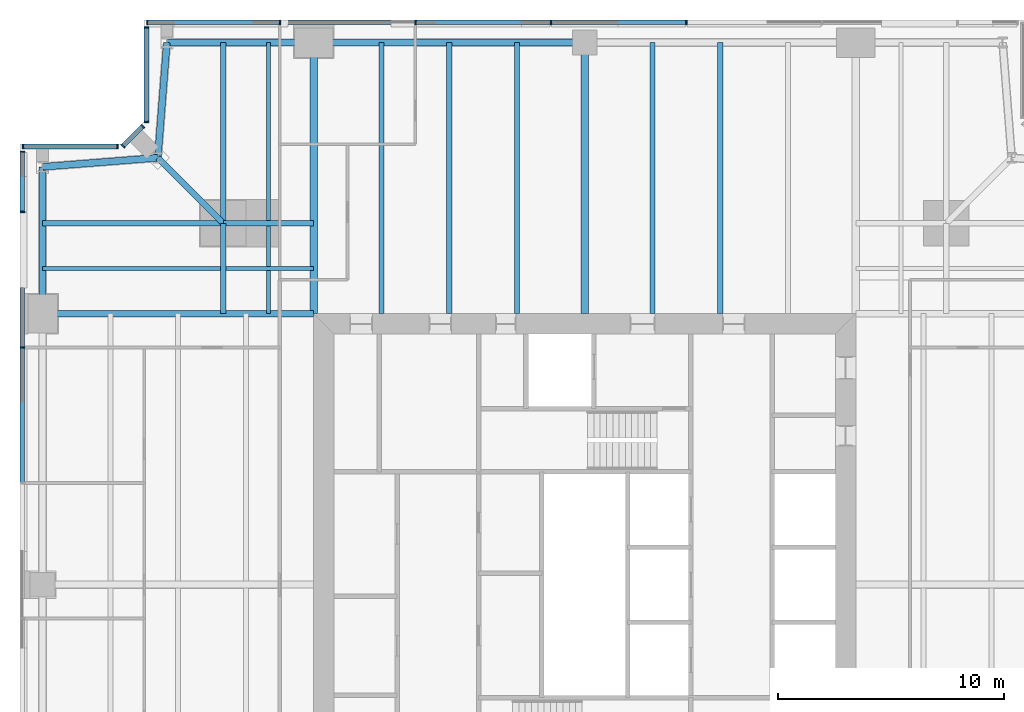
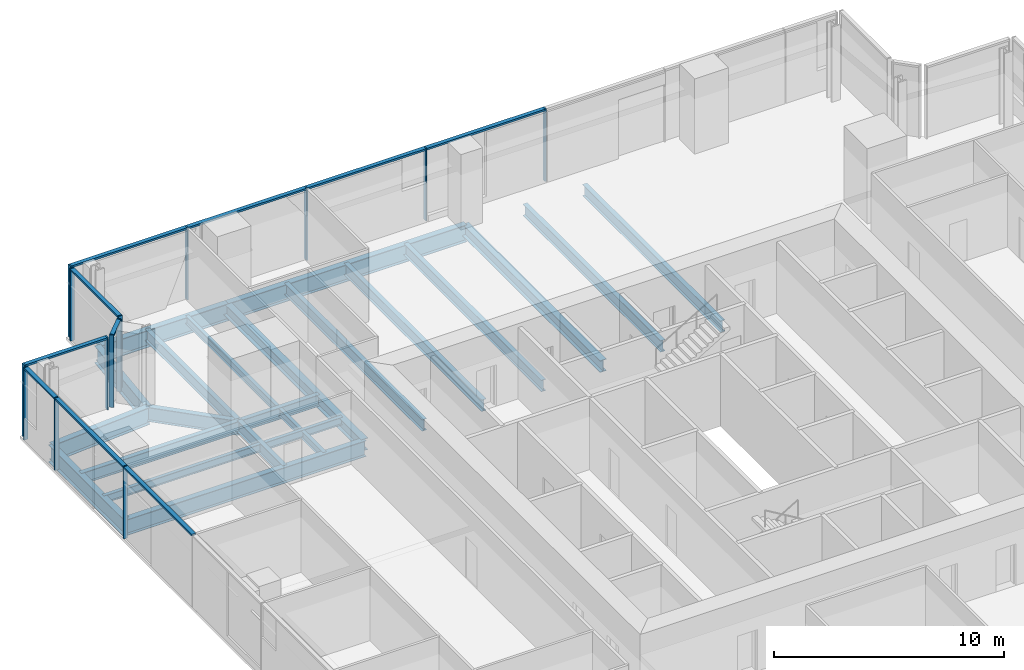
# One storey, part 6 of 14: 24 members, 23 beams, 5 elements without a shape of their own.
"""IFC4 building model written with IfcOpenShell, lengths in metres."""

from ifc_helpers import new_model, si_unit, direction, frame, origin, origin_2d, place, context, subcontext, project, spatial, rectangle, i_section, extrude, material, material_profile, profile_set, type_object, element, aggregate, save


model = new_model("IFC4")

# Units and contexts
model_context = context("Model", 3, precision=1e-05, world=origin(), true_north=direction((0.0, 1.0)))
body_context = subcontext(model_context, "Body", "Model", "MODEL_VIEW")
ifc_project = project(units=[si_unit("LENGTHUNIT", "METRE"), si_unit("AREAUNIT", "SQUARE_METRE"), si_unit("VOLUMEUNIT", "CUBIC_METRE"), si_unit("PLANEANGLEUNIT", "RADIAN"), si_unit("MASSUNIT", "GRAM", prefix="KILO")], contexts=[model_context])

# Site, building, storey
site_placement = place(None, origin())
site = spatial("IfcSite", under=ifc_project, at=site_placement, CompositionType="ELEMENT")
building_placement = place(site_placement, origin())
building = spatial("IfcBuilding", under=site, at=building_placement, Name="Fenwick Lantern Interchange", CompositionType="ELEMENT")
storey_placement = place(building_placement, frame((0.0, 0.0, 221.800048828125)))
storey = spatial("IfcBuildingStorey", under=building, at=storey_placement, Name="L52", CompositionType="ELEMENT", Elevation=221.800048828125)

# Beams
ifc_material_1 = material(Name="Steel ASTM A992 Grade 50", Category="steel")
ifc_material_profile_1 = material_profile(ifc_material_1, i_section(OverallWidth=0.3046875, OverallDepth=0.911865234375, WebThickness=0.015869140625, FlangeThickness=0.02392578125, at=origin_2d()), Name="W36X150")
ifc_profile_set_1 = profile_set([ifc_material_profile_1], Name="Steel ASTM A992 Grade 50")
beam_type_1 = type_object("IfcBeamType", Name="EDGE BEAM W36X150", PredefinedType="SPANDREL", material=ifc_profile_set_1)
beam_1_placement = place(storey_placement, frame((25.0, 49.0, -0.60595703125), z_axis=(-1.0, 0.0, 0.0), x_axis=(0.0, -1.0, 0.0)))
element("IfcBeam", 1, at=beam_1_placement, inside=storey, type_object=beam_type_1, Name="L52/FR/N/EB3", PredefinedType="SPANDREL", context=body_context, shape_type="SweptSolid", body=[
    extrude(i_section(OverallWidth=0.3046875, OverallDepth=0.911865234375, WebThickness=0.015869140625, FlangeThickness=0.02392578125, at=origin_2d()), origin(), (0.0, 0.0, 1.0), 12.0),
])
beam_2_placement = place(storey_placement, frame((13.0, 49.0, -0.60595703125), z_axis=(-1.0, 0.0, 0.0), x_axis=(0.0, -1.0, 0.0)))
element("IfcBeam", 2, at=beam_2_placement, inside=storey, type_object=beam_type_1, Name="L52/FR/N/EB4", PredefinedType="SPANDREL", context=body_context, shape_type="SweptSolid", body=[
    extrude(i_section(OverallWidth=0.3046875, OverallDepth=0.911865234375, WebThickness=0.015869140625, FlangeThickness=0.02392578125, at=origin_2d()), origin(), (0.0, 0.0, 1.0), 6.5),
])
for number, where, z_axis, x_axis, name in (
    (3, (6.5, 49.0, -0.60595703125), (-0.078170784639, -0.99693998236, 0.0), (0.99693998236, -0.078170784639, 0.0), "L52/FR/N/EBR1"),
    (4, (6.10009765625, 43.89990234375, -0.60595703125), (-0.99693998236, -0.078170784639, 0.0), (0.078170784639, -0.99693998236, 0.0), "L52/FR/N/EBR2"),
):
    element("IfcBeam", number, at=place(storey_placement, frame(where, z_axis=z_axis, x_axis=x_axis)), inside=storey, type_object=beam_type_1, Name=name, PredefinedType="SPANDREL", context=body_context, shape_type="SweptSolid", body=[
        extrude(i_section(OverallWidth=0.3046875, OverallDepth=0.911865234375, WebThickness=0.015869140625, FlangeThickness=0.02392578125, at=origin_2d()), origin(), (0.0, 0.0, 1.0), 5.11572265625),
    ])
beam_3_placement = place(storey_placement, frame((1.0, 43.5, -0.60595703125), z_axis=(0.0, -1.0, 0.0), x_axis=(1.0, 0.0, 0.0)))
element("IfcBeam", 5, at=beam_3_placement, inside=storey, type_object=beam_type_1, Name="L52/FR/W/EB1", PredefinedType="SPANDREL", context=body_context, shape_type="SweptSolid", body=[
    extrude(i_section(OverallWidth=0.3046875, OverallDepth=0.911865234375, WebThickness=0.015869140625, FlangeThickness=0.02392578125, at=origin_2d()), origin(), (0.0, 0.0, 1.0), 6.5),
])
ifc_material_profile_2 = material_profile(ifc_material_1, i_section(OverallWidth=0.22900390625, OverallDepth=0.612060546875, WebThickness=0.011962890625, FlangeThickness=0.01953125, at=origin_2d()), Name="W24X84")
ifc_profile_set_2 = profile_set([ifc_material_profile_2], Name="Steel ASTM A992 Grade 50")
beam_type_2 = type_object("IfcBeamType", Name="FLOOR BEAM W24X84", PredefinedType="BEAM", material=ifc_profile_set_2)
for number, where, z_axis, x_axis, name in (
    (6, (31.0, 49.0, -0.4560546875), (0.0, -1.0, 0.0), (1.0, 0.0, 0.0), "L52/FR/N/R03"),
    (7, (28.0, 49.0, -0.4560546875), (0.0, -1.0, 0.0), (1.0, 0.0, 0.0), "L52/FR/N/R04"),
    (8, (22.0, 49.0, -0.4560546875), (0.0, -1.0, 0.0), (1.0, 0.0, 0.0), "L52/FR/N/R06"),
    (9, (19.0, 49.0, -0.4560546875), (0.0, -1.0, 0.0), (1.0, 0.0, 0.0), "L52/FR/N/R07"),
    (10, (16.0, 49.0, -0.4560546875), (0.0, -1.0, 0.0), (1.0, 0.0, 0.0), "L52/FR/N/R08"),
):
    element("IfcBeam", number, at=place(storey_placement, frame(where, z_axis=z_axis, x_axis=x_axis)), inside=storey, type_object=beam_type_2, Name=name, PredefinedType="BEAM", context=body_context, shape_type="SweptSolid", body=[
        extrude(i_section(OverallWidth=0.22900390625, OverallDepth=0.612060546875, WebThickness=0.011962890625, FlangeThickness=0.01953125, at=origin_2d()), origin(), (0.0, 0.0, 1.0), 12.0),
    ])
ifc_material_profile_3 = material_profile(ifc_material_1, i_section(OverallWidth=0.177734375, OverallDepth=0.406494140625, WebThickness=0.0078125, FlangeThickness=0.012939453125, at=origin_2d()), Name="W16X40")
ifc_profile_set_3 = profile_set([ifc_material_profile_3], Name="Steel ASTM A992 Grade 50")
beam_type_3 = type_object("IfcBeamType", Name="INFILL BEAM W16X40", PredefinedType="JOIST", material=ifc_profile_set_3)
beam_4_placement = place(storey_placement, frame((1.0, 39.0, -0.353271484375), z_axis=(1.0, 0.0, 0.0), x_axis=(0.0, 1.0, 0.0)))
element("IfcBeam", 11, at=beam_4_placement, inside=storey, type_object=beam_type_3, Name="L52/FR/W/J1", PredefinedType="JOIST", context=body_context, shape_type="SweptSolid", body=[
    extrude(i_section(OverallWidth=0.177734375, OverallDepth=0.406494140625, WebThickness=0.0078125, FlangeThickness=0.012939453125, at=origin_2d()), origin(), (0.0, 0.0, 1.0), 7.885498046875),
])
beam_5_placement = place(storey_placement, frame((9.114501953125, 39.0, -0.353271484375), z_axis=(1.0, 0.0, 0.0), x_axis=(0.0, 1.0, 0.0)))
element("IfcBeam", 12, at=beam_5_placement, inside=storey, type_object=beam_type_3, Name="L52/FR/W/J2", PredefinedType="JOIST", context=body_context, shape_type="SweptSolid", body=[
    extrude(i_section(OverallWidth=0.177734375, OverallDepth=0.406494140625, WebThickness=0.0078125, FlangeThickness=0.012939453125, at=origin_2d()), origin(), (0.0, 0.0, 1.0), 3.885498046875),
])
beam_6_placement = place(storey_placement, frame((11.0, 49.0, -0.353271484375), z_axis=(0.0, -1.0, 0.0), x_axis=(1.0, 0.0, 0.0)))
element("IfcBeam", 13, at=beam_6_placement, inside=storey, type_object=beam_type_3, Name="L52/FR/W/J3", PredefinedType="JOIST", context=body_context, shape_type="SweptSolid", body=[
    extrude(i_section(OverallWidth=0.177734375, OverallDepth=0.406494140625, WebThickness=0.0078125, FlangeThickness=0.012939453125, at=origin_2d()), origin(), (0.0, 0.0, 1.0), 7.885498046875),
])
beam_7_placement = place(storey_placement, frame((11.0, 40.885498046875, -0.353271484375), z_axis=(0.0, -1.0, 0.0), x_axis=(1.0, 0.0, 0.0)))
element("IfcBeam", 14, at=beam_7_placement, inside=storey, type_object=beam_type_3, Name="L52/FR/W/J4", PredefinedType="JOIST", context=body_context, shape_type="SweptSolid", body=[
    extrude(i_section(OverallWidth=0.177734375, OverallDepth=0.406494140625, WebThickness=0.0078125, FlangeThickness=0.012939453125, at=origin_2d()), origin(), (0.0, 0.0, 1.0), 1.796630859375),
])
beam_8_placement = place(storey_placement, frame((11.0, 38.9111328125, -0.353271484375), z_axis=(0.0, -1.0, 0.0), x_axis=(1.0, 0.0, 0.0)))
element("IfcBeam", 15, at=beam_8_placement, inside=storey, type_object=beam_type_3, Name="L52/FR/W/J5", PredefinedType="JOIST", context=body_context, shape_type="SweptSolid", body=[
    extrude(i_section(OverallWidth=0.177734375, OverallDepth=0.406494140625, WebThickness=0.0078125, FlangeThickness=0.012939453125, at=origin_2d()), origin(), (0.0, 0.0, 1.0), 1.9111328125),
])
ifc_material_profile_4 = material_profile(ifc_material_1, i_section(OverallWidth=0.22900390625, OverallDepth=0.612060546875, WebThickness=0.011962890625, FlangeThickness=0.01953125, at=origin_2d()), Name="W24X84")
ifc_profile_set_4 = profile_set([ifc_material_profile_4], Name="Steel ASTM A992 Grade 50")
beam_type_4 = type_object("IfcBeamType", Name="MEGA COLUMN BEAM W24X84", PredefinedType="BEAM", material=ifc_profile_set_4)
for number, where, z_axis, x_axis, name in (
    (16, (9.0, 41.0, -0.4560546875), (-1.0, 0.0, 0.0), (0.0, -1.0, 0.0), "L52/FR/W/MB1"),
    (17, (9.0, 41.0, -0.4560546875), (0.0, 1.0, 0.0), (-1.0, 0.0, 0.0), "L52/FR/W/MB2"),
):
    element("IfcBeam", number, at=place(storey_placement, frame(where, z_axis=z_axis, x_axis=x_axis)), inside=storey, type_object=beam_type_4, Name=name, PredefinedType="BEAM", context=body_context, shape_type="SweptSolid", body=[
        extrude(i_section(OverallWidth=0.22900390625, OverallDepth=0.612060546875, WebThickness=0.011962890625, FlangeThickness=0.01953125, at=origin_2d()), origin(), (0.0, 0.0, 1.0), 8.0),
    ])
for number, where, z_axis, x_axis, name in (
    (18, (9.0, 41.0, -0.4560546875), (0.0, -1.0, 0.0), (1.0, 0.0, 0.0), "L52/FR/W/MB3"),
    (19, (9.0, 41.0, -0.4560546875), (1.0, 0.0, 0.0), (0.0, 1.0, 0.0), "L52/FR/W/MB4"),
):
    element("IfcBeam", number, at=place(storey_placement, frame(where, z_axis=z_axis, x_axis=x_axis)), inside=storey, type_object=beam_type_4, Name=name, PredefinedType="BEAM", context=body_context, shape_type="SweptSolid", body=[
        extrude(i_section(OverallWidth=0.22900390625, OverallDepth=0.612060546875, WebThickness=0.011962890625, FlangeThickness=0.01953125, at=origin_2d()), origin(), (0.0, 0.0, 1.0), 4.0),
    ])
ifc_material_profile_5 = material_profile(ifc_material_1, i_section(OverallWidth=0.32763671875, OverallDepth=0.622314453125, WebThickness=0.015380859375, FlangeThickness=0.0244140625, at=origin_2d()), Name="W24X131")
ifc_profile_set_5 = profile_set([ifc_material_profile_5], Name="Steel ASTM A992 Grade 50")
beam_type_5 = type_object("IfcBeamType", Name="MOMENT-CONNECTED GIRDER W24X131", PredefinedType="BEAM", material=ifc_profile_set_5)
for number, where, z_axis, x_axis, name in (
    (20, (25.0, 49.0, -0.461181640625), (0.0, -1.0, 0.0), (1.0, 0.0, 0.0), "L52/FR/N/R05"),
    (21, (13.0, 49.0, -0.461181640625), (0.0, -1.0, 0.0), (1.0, 0.0, 0.0), "L52/FR/N/R09"),
):
    element("IfcBeam", number, at=place(storey_placement, frame(where, z_axis=z_axis, x_axis=x_axis)), inside=storey, type_object=beam_type_5, Name=name, PredefinedType="BEAM", context=body_context, shape_type="SweptSolid", body=[
        extrude(i_section(OverallWidth=0.32763671875, OverallDepth=0.622314453125, WebThickness=0.015380859375, FlangeThickness=0.0244140625, at=origin_2d()), origin(), (0.0, 0.0, 1.0), 12.0),
    ])
ifc_material_profile_6 = material_profile(ifc_material_1, i_section(OverallWidth=0.2919921875, OverallDepth=0.845703125, WebThickness=0.015380859375, FlangeThickness=0.0244140625, at=origin_2d()), Name="W33X141")
ifc_profile_set_6 = profile_set([ifc_material_profile_6], Name="Steel ASTM A992 Grade 50")
beam_type_6 = type_object("IfcBeamType", Name="MOMENT-CONNECTED GIRDER W33X141", PredefinedType="BEAM", material=ifc_profile_set_6)
beam_9_placement = place(storey_placement, frame((1.0, 37.0, -0.572998046875), z_axis=(1.0, 0.0, 0.0), x_axis=(0.0, 1.0, 0.0)))
element("IfcBeam", 22, at=beam_9_placement, inside=storey, type_object=beam_type_6, Name="L52/FR/W/R01", PredefinedType="BEAM", context=body_context, shape_type="SweptSolid", body=[
    extrude(i_section(OverallWidth=0.2919921875, OverallDepth=0.845703125, WebThickness=0.015380859375, FlangeThickness=0.0244140625, at=origin_2d()), origin(), (0.0, 0.0, 1.0), 12.0),
])
ifc_material_profile_7 = material_profile(ifc_material_1, i_section(OverallWidth=0.2666015625, OverallDepth=0.7568359375, WebThickness=0.013916015625, FlangeThickness=0.019287109375, at=origin_2d()), Name="W30X108")
ifc_profile_set_7 = profile_set([ifc_material_profile_7], Name="Steel ASTM A992 Grade 50")
beam_type_7 = type_object("IfcBeamType", Name="NOTCH BEAM W30X108", PredefinedType="BEAM", material=ifc_profile_set_7)
beam_10_placement = place(storey_placement, frame((9.0, 41.0, -0.528564453125), z_axis=(-0.707106781187, 0.707106781187, 0.0), x_axis=(-0.707106781187, -0.707106781187, 0.0)))
element("IfcBeam", 23, at=beam_10_placement, inside=storey, type_object=beam_type_7, Name="L52/FR/W/TG", PredefinedType="BEAM", context=body_context, shape_type="SweptSolid", body=[
    extrude(i_section(OverallWidth=0.2666015625, OverallDepth=0.7568359375, WebThickness=0.013916015625, FlangeThickness=0.019287109375, at=origin_2d()), origin(), (0.0, 0.0, 1.0), 4.10107421875),
])

# Curtain wall, members
ifc_material_2 = material(Name="Aluminium curtain wall frame", Category="aluminium")
curtain_wall_type = type_object("IfcCurtainWallType", Name="OFFICE CURTAIN WALL", PredefinedType="USERDEFINED", material=ifc_material_2)
curtain_wall_1_placement = place(storey_placement, origin())
curtain_wall_1 = element("IfcCurtainWall", 24, at=curtain_wall_1_placement, inside=storey, type_object=curtain_wall_type, Name="Office curtain wall 09", ObjectType="OFFICE CURTAIN WALL", PredefinedType="USERDEFINED")
ifc_material_3 = material(Name="Aluminium extrusion", Category="aluminium")
ifc_material_profile_8 = material_profile(ifc_material_3, rectangle(XDim=0.199951171875, YDim=0.06494140625, at=origin_2d()), Name="OFFICE CURTAIN WALL MULLION 65 X 200")
ifc_profile_set_8 = profile_set([ifc_material_profile_8], Name="Aluminium extrusion")
member_type_1 = type_object("IfcMemberType", Name="OFFICE CURTAIN WALL MULLION 65 X 200", PredefinedType="MULLION", material=ifc_profile_set_8)
member_1_placement = place(storey_placement, frame((29.5, 49.89990234375, 0.0), z_axis=(0.0, 0.0, 1.0), x_axis=(0.0, -1.0, 0.0)))
member_1 = element("IfcMember", 25, at=member_1_placement, type_object=member_type_1, Name="L52/CW/09/M03", PredefinedType="MULLION", context=body_context, shape_type="SweptSolid", body=[
    extrude(rectangle(XDim=0.199951171875, YDim=0.06494140625, at=origin_2d()), origin(), (0.0, 0.0, 1.0), 3.849853515625),
])
member_2_placement = place(storey_placement, frame((23.5, 49.89990234375, 0.0), z_axis=(0.0, 0.0, 1.0), x_axis=(0.0, -1.0, 0.0)))
member_2 = element("IfcMember", 26, at=member_2_placement, type_object=member_type_1, Name="L52/CW/09/M04", PredefinedType="MULLION", context=body_context, shape_type="SweptSolid", body=[
    extrude(rectangle(XDim=0.199951171875, YDim=0.06494140625, at=origin_2d()), origin(), (0.0, 0.0, 1.0), 3.849853515625),
])
member_3_placement = place(storey_placement, frame((17.5, 49.89990234375, 0.0), z_axis=(0.0, 0.0, 1.0), x_axis=(0.0, -1.0, 0.0)))
member_3 = element("IfcMember", 27, at=member_3_placement, type_object=member_type_1, Name="L52/CW/09/M05", PredefinedType="MULLION", context=body_context, shape_type="SweptSolid", body=[
    extrude(rectangle(XDim=0.199951171875, YDim=0.06494140625, at=origin_2d()), origin(), (0.0, 0.0, 1.0), 3.849853515625),
])
member_4_placement = place(storey_placement, frame((11.5, 49.89990234375, 0.0), z_axis=(0.0, 0.0, 1.0), x_axis=(0.0, -1.0, 0.0)))
member_4 = element("IfcMember", 28, at=member_4_placement, type_object=member_type_1, Name="L52/CW/09/M06", PredefinedType="MULLION", context=body_context, shape_type="SweptSolid", body=[
    extrude(rectangle(XDim=0.199951171875, YDim=0.06494140625, at=origin_2d()), origin(), (0.0, 0.0, 1.0), 3.849853515625),
])
member_5_placement = place(storey_placement, frame((5.632568359375, 49.89990234375, 0.0), z_axis=(0.0, 0.0, 1.0), x_axis=(0.0, -1.0, 0.0)))
member_5 = element("IfcMember", 29, at=member_5_placement, type_object=member_type_1, Name="L52/CW/09/M07", PredefinedType="MULLION", context=body_context, shape_type="SweptSolid", body=[
    extrude(rectangle(XDim=0.199951171875, YDim=0.06494140625, at=origin_2d()), origin(), (0.0, 0.0, 1.0), 3.849853515625),
])

curtain_wall_2_placement = place(storey_placement, origin())
curtain_wall_2 = element("IfcCurtainWall", 30, at=curtain_wall_2_placement, inside=storey, type_object=curtain_wall_type, Name="Office curtain wall 10", ObjectType="OFFICE CURTAIN WALL", PredefinedType="USERDEFINED")
member_6_placement = place(storey_placement, frame((5.60009765625, 49.66748046875, 0.0), z_axis=(0.0, 0.0, 1.0), x_axis=(1.0, 0.0, 0.0)))
member_6 = element("IfcMember", 31, at=member_6_placement, type_object=member_type_1, Name="L52/CW/10/M00", PredefinedType="MULLION", context=body_context, shape_type="SweptSolid", body=[
    extrude(rectangle(XDim=0.199951171875, YDim=0.06494140625, at=origin_2d()), origin(), (0.0, 0.0, 1.0), 3.849853515625),
])
member_7_placement = place(storey_placement, frame((5.60009765625, 45.490966796875, 0.0), z_axis=(0.0, 0.0, 1.0), x_axis=(1.0, 0.0, 0.0)))
member_7 = element("IfcMember", 32, at=member_7_placement, type_object=member_type_1, Name="L52/CW/10/M01", PredefinedType="MULLION", context=body_context, shape_type="SweptSolid", body=[
    extrude(rectangle(XDim=0.199951171875, YDim=0.06494140625, at=origin_2d()), origin(), (0.0, 0.0, 1.0), 3.849853515625),
])

curtain_wall_3_placement = place(storey_placement, origin())
curtain_wall_3 = element("IfcCurtainWall", 33, at=curtain_wall_3_placement, inside=storey, type_object=curtain_wall_type, Name="Office curtain wall 11", ObjectType="OFFICE CURTAIN WALL", PredefinedType="USERDEFINED")
member_8_placement = place(storey_placement, frame((5.435546875, 45.294189453125, 0.0), z_axis=(0.0, 0.0, 1.0), x_axis=(0.707106781187, -0.707106781187, 0.0)))
member_8 = element("IfcMember", 34, at=member_8_placement, type_object=member_type_1, Name="L52/CW/11/M00", PredefinedType="MULLION", context=body_context, shape_type="SweptSolid", body=[
    extrude(rectangle(XDim=0.199951171875, YDim=0.06494140625, at=origin_2d()), origin(), (0.0, 0.0, 1.0), 3.849853515625),
])
member_9_placement = place(storey_placement, frame((4.564453125, 44.423095703125, 0.0), z_axis=(0.0, 0.0, 1.0), x_axis=(0.707106781187, -0.707106781187, 0.0)))
member_9 = element("IfcMember", 35, at=member_9_placement, type_object=member_type_1, Name="L52/CW/11/M01", PredefinedType="MULLION", context=body_context, shape_type="SweptSolid", body=[
    extrude(rectangle(XDim=0.199951171875, YDim=0.06494140625, at=origin_2d()), origin(), (0.0, 0.0, 1.0), 3.849853515625),
])

curtain_wall_4_placement = place(storey_placement, origin())
curtain_wall_4 = element("IfcCurtainWall", 36, at=curtain_wall_4_placement, inside=storey, type_object=curtain_wall_type, Name="Office curtain wall 12", ObjectType="OFFICE CURTAIN WALL", PredefinedType="USERDEFINED")
member_10_placement = place(storey_placement, frame((4.308837890625, 44.39990234375, 0.0), z_axis=(0.0, 0.0, 1.0), x_axis=(0.0, -1.0, 0.0)))
member_10 = element("IfcMember", 37, at=member_10_placement, type_object=member_type_1, Name="L52/CW/12/M00", PredefinedType="MULLION", context=body_context, shape_type="SweptSolid", body=[
    extrude(rectangle(XDim=0.199951171875, YDim=0.06494140625, at=origin_2d()), origin(), (0.0, 0.0, 1.0), 3.849853515625),
])
member_11_placement = place(storey_placement, frame((0.132568359375, 44.39990234375, 0.0), z_axis=(0.0, 0.0, 1.0), x_axis=(0.0, -1.0, 0.0)))
member_11 = element("IfcMember", 38, at=member_11_placement, type_object=member_type_1, Name="L52/CW/12/M01", PredefinedType="MULLION", context=body_context, shape_type="SweptSolid", body=[
    extrude(rectangle(XDim=0.199951171875, YDim=0.06494140625, at=origin_2d()), origin(), (0.0, 0.0, 1.0), 3.849853515625),
])

curtain_wall_5_placement = place(storey_placement, origin())
curtain_wall_5 = element("IfcCurtainWall", 39, at=curtain_wall_5_placement, inside=storey, type_object=curtain_wall_type, Name="Office curtain wall 13", ObjectType="OFFICE CURTAIN WALL", PredefinedType="USERDEFINED")
member_12_placement = place(storey_placement, frame((0.10009765625, 44.16748046875, 0.0), z_axis=(0.0, 0.0, 1.0), x_axis=(1.0, 0.0, 0.0)))
member_12 = element("IfcMember", 40, at=member_12_placement, type_object=member_type_1, Name="L52/CW/13/M00", PredefinedType="MULLION", context=body_context, shape_type="SweptSolid", body=[
    extrude(rectangle(XDim=0.199951171875, YDim=0.06494140625, at=origin_2d()), origin(), (0.0, 0.0, 1.0), 3.849853515625),
])
member_13_placement = place(storey_placement, frame((0.10009765625, 41.5, 0.0), z_axis=(0.0, 0.0, 1.0), x_axis=(1.0, 0.0, 0.0)))
member_13 = element("IfcMember", 41, at=member_13_placement, type_object=member_type_1, Name="L52/CW/13/M01", PredefinedType="MULLION", context=body_context, shape_type="SweptSolid", body=[
    extrude(rectangle(XDim=0.199951171875, YDim=0.06494140625, at=origin_2d()), origin(), (0.0, 0.0, 1.0), 3.849853515625),
])
member_14_placement = place(storey_placement, frame((0.10009765625, 35.5, 0.0), z_axis=(0.0, 0.0, 1.0), x_axis=(1.0, 0.0, 0.0)))
member_14 = element("IfcMember", 42, at=member_14_placement, type_object=member_type_1, Name="L52/CW/13/M02", PredefinedType="MULLION", context=body_context, shape_type="SweptSolid", body=[
    extrude(rectangle(XDim=0.199951171875, YDim=0.06494140625, at=origin_2d()), origin(), (0.0, 0.0, 1.0), 3.849853515625),
])

# Member
ifc_material_profile_9 = material_profile(ifc_material_3, rectangle(XDim=0.199951171875, YDim=0.10009765625, at=origin_2d()), Name="OFFICE CURTAIN WALL TRANSOM 100 X 200")
ifc_profile_set_9 = profile_set([ifc_material_profile_9], Name="Aluminium extrusion")
member_type_2 = type_object("IfcMemberType", Name="OFFICE CURTAIN WALL TRANSOM 100 X 200", PredefinedType="MULLION", material=ifc_profile_set_9)
member_15_placement = place(storey_placement, frame((29.467529296875, 49.89990234375, 3.800048828125), z_axis=(-1.0, 0.0, 0.0), x_axis=(0.0, -1.0, 0.0)))
member_15 = element("IfcMember", 43, at=member_15_placement, type_object=member_type_2, Name="L52/CW/09/T03", PredefinedType="MULLION", context=body_context, shape_type="SweptSolid", body=[
    extrude(rectangle(XDim=0.199951171875, YDim=0.10009765625, at=origin_2d()), origin(), (0.0, 0.0, 1.0), 5.93505859375),
])

member_16_placement = place(storey_placement, frame((23.467529296875, 49.89990234375, 3.800048828125), z_axis=(-1.0, 0.0, 0.0), x_axis=(0.0, -1.0, 0.0)))
member_16 = element("IfcMember", 44, at=member_16_placement, type_object=member_type_2, Name="L52/CW/09/T04", PredefinedType="MULLION", context=body_context, shape_type="SweptSolid", body=[
    extrude(rectangle(XDim=0.199951171875, YDim=0.10009765625, at=origin_2d()), origin(), (0.0, 0.0, 1.0), 5.93505859375),
])

member_17_placement = place(storey_placement, frame((17.467529296875, 49.89990234375, 3.800048828125), z_axis=(-1.0, 0.0, 0.0), x_axis=(0.0, -1.0, 0.0)))
member_17 = element("IfcMember", 45, at=member_17_placement, type_object=member_type_2, Name="L52/CW/09/T05", PredefinedType="MULLION", context=body_context, shape_type="SweptSolid", body=[
    extrude(rectangle(XDim=0.199951171875, YDim=0.10009765625, at=origin_2d()), origin(), (0.0, 0.0, 1.0), 5.93505859375),
])

member_18_placement = place(storey_placement, frame((11.467529296875, 49.89990234375, 3.800048828125), z_axis=(-1.0, 0.0, 0.0), x_axis=(0.0, -1.0, 0.0)))
member_18 = element("IfcMember", 46, at=member_18_placement, type_object=member_type_2, Name="L52/CW/09/T06", PredefinedType="MULLION", context=body_context, shape_type="SweptSolid", body=[
    extrude(rectangle(XDim=0.199951171875, YDim=0.10009765625, at=origin_2d()), origin(), (0.0, 0.0, 1.0), 5.802490234375),
])

aggregate(curtain_wall_1, [member_1, member_2, member_3, member_4, member_5, member_15, member_16, member_17, member_18])

member_19_placement = place(storey_placement, frame((5.60009765625, 49.635009765625, 3.800048828125), z_axis=(0.0, -1.0, 0.0), x_axis=(1.0, 0.0, 0.0)))
member_19 = element("IfcMember", 47, at=member_19_placement, type_object=member_type_2, Name="L52/CW/10/T00", PredefinedType="MULLION", context=body_context, shape_type="SweptSolid", body=[
    extrude(rectangle(XDim=0.199951171875, YDim=0.10009765625, at=origin_2d()), origin(), (0.0, 0.0, 1.0), 4.111328125),
])

aggregate(curtain_wall_2, [member_6, member_7, member_19])

member_20_placement = place(storey_placement, frame((5.41259765625, 45.271240234375, 3.800048828125), z_axis=(-0.707106781187, -0.707106781187, 0.0), x_axis=(0.707106781187, -0.707106781187, 0.0)))
member_20 = element("IfcMember", 48, at=member_20_placement, type_object=member_type_2, Name="L52/CW/11/T00", PredefinedType="MULLION", context=body_context, shape_type="SweptSolid", body=[
    extrude(rectangle(XDim=0.199951171875, YDim=0.10009765625, at=origin_2d()), origin(), (0.0, 0.0, 1.0), 1.1669921875),
])

aggregate(curtain_wall_3, [member_8, member_9, member_20])

member_21_placement = place(storey_placement, frame((4.2763671875, 44.39990234375, 3.800048828125), z_axis=(-1.0, 0.0, 0.0), x_axis=(0.0, -1.0, 0.0)))
member_21 = element("IfcMember", 49, at=member_21_placement, type_object=member_type_2, Name="L52/CW/12/T00", PredefinedType="MULLION", context=body_context, shape_type="SweptSolid", body=[
    extrude(rectangle(XDim=0.199951171875, YDim=0.10009765625, at=origin_2d()), origin(), (0.0, 0.0, 1.0), 4.111328125),
])

aggregate(curtain_wall_4, [member_10, member_11, member_21])

member_22_placement = place(storey_placement, frame((0.10009765625, 44.135009765625, 3.800048828125), z_axis=(0.0, -1.0, 0.0), x_axis=(1.0, 0.0, 0.0)))
member_22 = element("IfcMember", 50, at=member_22_placement, type_object=member_type_2, Name="L52/CW/13/T00", PredefinedType="MULLION", context=body_context, shape_type="SweptSolid", body=[
    extrude(rectangle(XDim=0.199951171875, YDim=0.10009765625, at=origin_2d()), origin(), (0.0, 0.0, 1.0), 2.6025390625),
])

member_23_placement = place(storey_placement, frame((0.10009765625, 41.467529296875, 3.800048828125), z_axis=(0.0, -1.0, 0.0), x_axis=(1.0, 0.0, 0.0)))
member_23 = element("IfcMember", 51, at=member_23_placement, type_object=member_type_2, Name="L52/CW/13/T01", PredefinedType="MULLION", context=body_context, shape_type="SweptSolid", body=[
    extrude(rectangle(XDim=0.199951171875, YDim=0.10009765625, at=origin_2d()), origin(), (0.0, 0.0, 1.0), 5.93505859375),
])

member_24_placement = place(storey_placement, frame((0.10009765625, 35.467529296875, 3.800048828125), z_axis=(0.0, -1.0, 0.0), x_axis=(1.0, 0.0, 0.0)))
member_24 = element("IfcMember", 52, at=member_24_placement, type_object=member_type_2, Name="L52/CW/13/T02", PredefinedType="MULLION", context=body_context, shape_type="SweptSolid", body=[
    extrude(rectangle(XDim=0.199951171875, YDim=0.10009765625, at=origin_2d()), origin(), (0.0, 0.0, 1.0), 5.93505859375),
])

aggregate(curtain_wall_5, [member_12, member_13, member_14, member_22, member_23, member_24])

save(model, "model.ifc")
